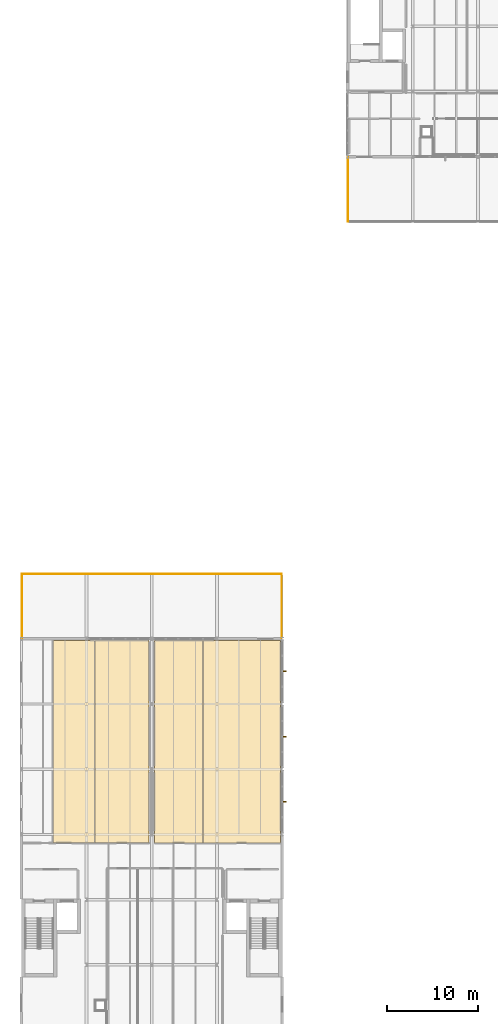
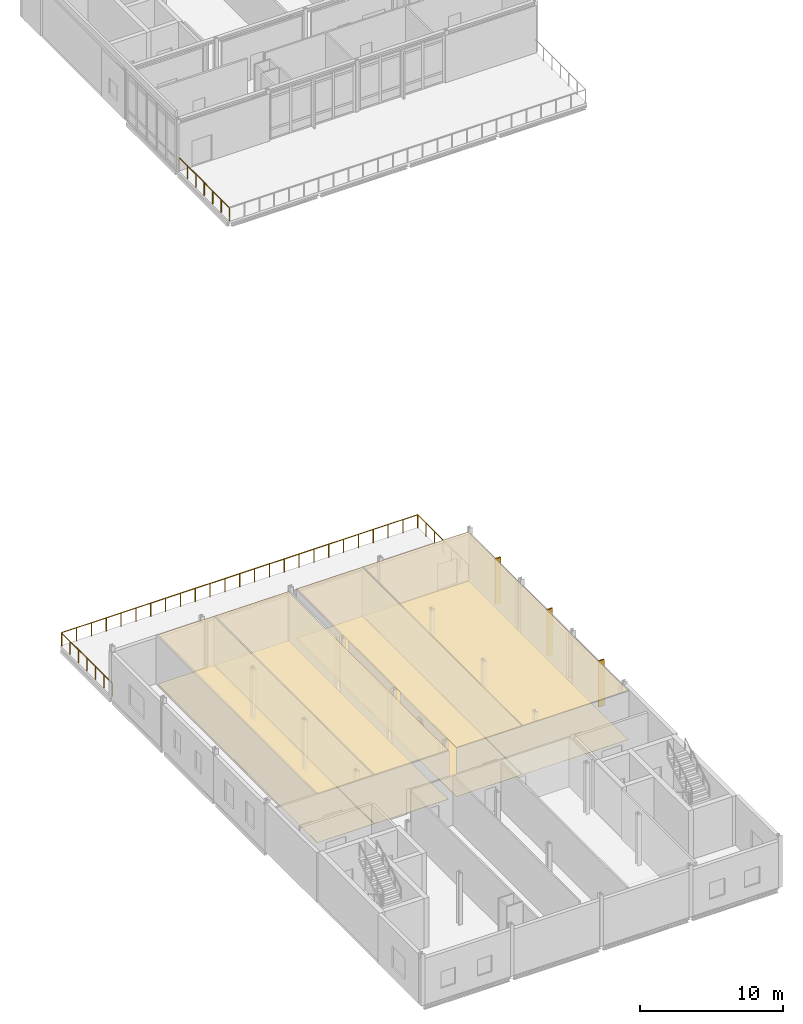
# One storey, part 20 of 21: 8 coverings, 4 railings, 3 shading devices.
"""IFC4 building model written with IfcOpenShell, lengths in metres."""

from ifc_helpers import new_model, si_unit, direction, frame, origin, origin_2d, place, context, subcontext, project, spatial, polyline, rectangle, circle, outline, extrude, material, layer, layer_set, type_object, element, save


model = new_model("IFC4")

# Units and contexts
model_context = context("Model", 3, precision=1e-05, world=origin(), true_north=direction((0.0, 1.0)))
body_context = subcontext(model_context, "Body", "Model", "MODEL_VIEW")
ifc_project = project(units=[si_unit("LENGTHUNIT", "METRE"), si_unit("AREAUNIT", "SQUARE_METRE"), si_unit("VOLUMEUNIT", "CUBIC_METRE"), si_unit("PLANEANGLEUNIT", "RADIAN"), si_unit("MASSUNIT", "GRAM", prefix="KILO")], contexts=[model_context])

# Site, building, storey
site_placement = place(None, origin())
site = spatial("IfcSite", under=ifc_project, at=site_placement, CompositionType="ELEMENT")
building_placement = place(site_placement, origin())
building = spatial("IfcBuilding", under=site, at=building_placement, Name="Zarrinpeak Specialist Clinic", CompositionType="ELEMENT")
storey_placement = place(building_placement, frame((0.0, 0.0, 22.800048828125)))
storey = spatial("IfcBuildingStorey", under=building, at=storey_placement, Name="L05", CompositionType="ELEMENT", Elevation=22.800048828125)

# Coverings
ifc_material_1 = material(Name="Hygienic Acoustic Mineral Fibre Tile")
ifc_layer_1 = layer(ifc_material_1, 0.02490234375)
ifc_layer_set_1 = layer_set([ifc_layer_1], Name="Hygienic Acoustic Mineral Fibre Tile")
covering_type_1 = type_object("IfcCoveringType", Name="CV-CEIL-AC", PredefinedType="CEILING", material=ifc_layer_set_1)
covering_1_placement = place(storey_placement, frame((0.0, 0.0, 4.159912109375)))
element("IfcCovering", 1, at=covering_1_placement, inside=storey, type_object=covering_type_1, Name="L05 Minor Dermatosurgery Suite Hygienic Acoustic Ceiling", PredefinedType="CEILING", context=body_context, shape_type="SweptSolid", body=[
    extrude(outline(polyline([(3.52001953125, 20.669921875), (8.080078125, 20.669921875), (8.080078125, 42.97998046875), (3.52001953125, 42.97998046875), (3.52001953125, 20.669921875)])), origin(), (0.0, 0.0, 1.0), 0.025146484375),
])
covering_2_placement = place(storey_placement, frame((0.0, 0.0, 4.159912109375)))
element("IfcCovering", 2, at=covering_2_placement, inside=storey, type_object=covering_type_1, Name="L05 Allergy Immunology Patch Lab Hygienic Acoustic Ceiling", PredefinedType="CEILING", context=body_context, shape_type="SweptSolid", body=[
    extrude(outline(polyline([(14.719970703125, 20.669921875), (20.030029296875, 20.669921875), (20.030029296875, 42.97998046875), (14.719970703125, 42.97998046875), (14.719970703125, 20.669921875)])), origin(), (0.0, 0.0, 1.0), 0.025146484375),
])
covering_3_placement = place(storey_placement, frame((0.0, 0.0, 4.159912109375)))
element("IfcCovering", 3, at=covering_3_placement, inside=storey, type_object=covering_type_1, Name="L05 Specialist Consultation Room 1 Hygienic Acoustic Ceiling", PredefinedType="CEILING", context=body_context, shape_type="SweptSolid", body=[
    extrude(outline(polyline([(8.1201171875, 20.669921875), (14.080078125, 20.669921875), (14.080078125, 42.97998046875), (8.1201171875, 42.97998046875), (8.1201171875, 20.669921875)])), origin(), (0.0, 0.0, 1.0), 0.025146484375),
])
covering_4_placement = place(storey_placement, frame((0.0, 0.0, 4.159912109375)))
element("IfcCovering", 4, at=covering_4_placement, inside=storey, type_object=covering_type_1, Name="L05 Specialist Consultation Room 2 Hygienic Acoustic Ceiling", PredefinedType="CEILING", context=body_context, shape_type="SweptSolid", body=[
    extrude(outline(polyline([(20.070068359375, 20.669921875), (28.580078125, 20.669921875), (28.580078125, 42.97998046875), (20.070068359375, 42.97998046875), (20.070068359375, 20.669921875)])), origin(), (0.0, 0.0, 1.0), 0.025146484375),
])
ifc_material_2 = material(Name="Homogeneous Antimicrobial Clinical Vinyl")
ifc_layer_2 = layer(ifc_material_2, 0.008056640625)
ifc_layer_set_2 = layer_set([ifc_layer_2], Name="Homogeneous Antimicrobial Clinical Vinyl")
covering_type_2 = type_object("IfcCoveringType", Name="CV-FLR-VN", PredefinedType="FLOORING", material=ifc_layer_set_2)
covering_5_placement = place(storey_placement, frame((0.0, 0.0, 0.0009765625)))
element("IfcCovering", 5, at=covering_5_placement, inside=storey, type_object=covering_type_2, Name="L05 Minor Dermatosurgery Suite Antimicrobial Vinyl Flooring", PredefinedType="FLOORING", context=body_context, shape_type="SweptSolid", body=[
    extrude(outline(polyline([(3.52001953125, 20.669921875), (8.080078125, 20.669921875), (8.080078125, 42.97998046875), (3.52001953125, 42.97998046875), (3.52001953125, 20.669921875)])), origin(), (0.0, 0.0, 1.0), 0.008056640625),
])
covering_6_placement = place(storey_placement, frame((0.0, 0.0, 0.0009765625)))
element("IfcCovering", 6, at=covering_6_placement, inside=storey, type_object=covering_type_2, Name="L05 Allergy Immunology Patch Lab Antimicrobial Vinyl Flooring", PredefinedType="FLOORING", context=body_context, shape_type="SweptSolid", body=[
    extrude(outline(polyline([(14.719970703125, 20.669921875), (20.030029296875, 20.669921875), (20.030029296875, 42.97998046875), (14.719970703125, 42.97998046875), (14.719970703125, 20.669921875)])), origin(), (0.0, 0.0, 1.0), 0.008056640625),
])
covering_7_placement = place(storey_placement, frame((0.0, 0.0, 0.0009765625)))
element("IfcCovering", 7, at=covering_7_placement, inside=storey, type_object=covering_type_2, Name="L05 Specialist Consultation Room 1 Antimicrobial Vinyl Flooring", PredefinedType="FLOORING", context=body_context, shape_type="SweptSolid", body=[
    extrude(outline(polyline([(8.1201171875, 20.669921875), (14.080078125, 20.669921875), (14.080078125, 42.97998046875), (8.1201171875, 42.97998046875), (8.1201171875, 20.669921875)])), origin(), (0.0, 0.0, 1.0), 0.008056640625),
])
covering_8_placement = place(storey_placement, frame((0.0, 0.0, 0.0009765625)))
element("IfcCovering", 8, at=covering_8_placement, inside=storey, type_object=covering_type_2, Name="L05 Specialist Consultation Room 2 Antimicrobial Vinyl Flooring", PredefinedType="FLOORING", context=body_context, shape_type="SweptSolid", body=[
    extrude(outline(polyline([(20.070068359375, 20.669921875), (28.580078125, 20.669921875), (28.580078125, 42.97998046875), (20.070068359375, 42.97998046875), (20.070068359375, 20.669921875)])), origin(), (0.0, 0.0, 1.0), 0.008056640625),
])

# Railings
ifc_material_3 = material(Name="Powder-Coated Steel Post-and-Rail Balustrade", Category="steel")
ifc_layer_3 = layer(ifc_material_3, 0.06005859375)
ifc_layer_set_3 = layer_set([ifc_layer_3], Name="Powder-Coated Steel Post-and-Rail Balustrade")
railing_type_1 = type_object("IfcRailingType", Name="RL-BAL110", PredefinedType="BALUSTRADE", material=ifc_layer_set_3)
for number, where, name in (
    (9, (0.06005859375, 43.260009765625, 0.0), "L05 V1 Terrace Perimeter Guardrail GR-002"),
    (10, (36.06005859375, 89.260009765625, 0.0), "L05 V6 Terrace Perimeter Guardrail GR-020"),
):
    element("IfcRailing", number, at=place(storey_placement, frame(where)), inside=storey, type_object=railing_type_1, Name=name, PredefinedType="BALUSTRADE", context=body_context, shape_type="SweptSolid", body=[
        extrude(circle(Radius=0.02392578125, at=origin_2d()), frame((0.0, 0.0, 1.09619140625), z_axis=(0.0, 1.0, 0.0), x_axis=(-1.0, 0.0, 0.0)), (0.0, 0.0, 1.0), 7.080078125),
        extrude(circle(Radius=0.02099609375, at=origin_2d()), origin(), (0.0, 0.0, 1.0), 1.072021484375),
        extrude(circle(Radius=0.02099609375, at=origin_2d()), frame((0.0, 1.179931640625, 0.0)), (0.0, 0.0, 1.0), 1.072021484375),
        extrude(circle(Radius=0.02099609375, at=origin_2d()), frame((0.0, 2.360107421875, 0.0)), (0.0, 0.0, 1.0), 1.072021484375),
        extrude(circle(Radius=0.02099609375, at=origin_2d()), frame((0.0, 3.5400390625, 0.0)), (0.0, 0.0, 1.0), 1.072021484375),
        extrude(circle(Radius=0.02099609375, at=origin_2d()), frame((0.0, 4.719970703125, 0.0)), (0.0, 0.0, 1.0), 1.072021484375),
        extrude(circle(Radius=0.02099609375, at=origin_2d()), frame((0.0, 5.900146484375, 0.0)), (0.0, 0.0, 1.0), 1.072021484375),
        extrude(circle(Radius=0.02099609375, at=origin_2d()), frame((0.0, 7.080078125, 0.0)), (0.0, 0.0, 1.0), 1.072021484375),
    ])
ifc_material_4 = material(Name="Laminated Safety Glass and Stainless Steel 316", Category="steel")
ifc_layer_4 = layer(ifc_material_4, 0.06005859375)
ifc_layer_set_4 = layer_set([ifc_layer_4], Name="Laminated Safety Glass and Stainless Steel 316")
railing_type_2 = type_object("IfcRailingType", Name="RL-GRD115", PredefinedType="GUARDRAIL", material=ifc_layer_set_4)
railing_1_placement = place(storey_placement, frame((0.06005859375, 50.340087890625, 0.0)))
element("IfcRailing", 11, at=railing_1_placement, inside=storey, type_object=railing_type_2, Name="L05 V1 Terrace Perimeter Guardrail GR-001", PredefinedType="GUARDRAIL", context=body_context, shape_type="SweptSolid", body=[
    extrude(circle(Radius=0.02392578125, at=origin_2d()), frame((0.0, 0.0, 1.1259765625), z_axis=(1.0, 0.0, 0.0), x_axis=(0.0, 1.0, 0.0)), (0.0, 0.0, 1.0), 28.679931640625),
    extrude(circle(Radius=0.02099609375, at=origin_2d()), origin(), (0.0, 0.0, 1.0), 1.101806640625),
    extrude(circle(Radius=0.02099609375, at=origin_2d()), frame((1.195068359375, 0.0, 0.0)), (0.0, 0.0, 1.0), 1.101806640625),
    extrude(circle(Radius=0.02099609375, at=origin_2d()), frame((2.389892578125, 0.0, 0.0)), (0.0, 0.0, 1.0), 1.101806640625),
    extrude(circle(Radius=0.02099609375, at=origin_2d()), frame((3.5849609375, 0.0, 0.0)), (0.0, 0.0, 1.0), 1.101806640625),
    extrude(circle(Radius=0.02099609375, at=origin_2d()), frame((4.780029296875, 0.0, 0.0)), (0.0, 0.0, 1.0), 1.101806640625),
    extrude(circle(Radius=0.02099609375, at=origin_2d()), frame((5.97509765625, 0.0, 0.0)), (0.0, 0.0, 1.0), 1.101806640625),
    extrude(circle(Radius=0.02099609375, at=origin_2d()), frame((7.169921875, 0.0, 0.0)), (0.0, 0.0, 1.0), 1.101806640625),
    extrude(circle(Radius=0.02099609375, at=origin_2d()), frame((8.364990234375, 0.0, 0.0)), (0.0, 0.0, 1.0), 1.101806640625),
    extrude(circle(Radius=0.02099609375, at=origin_2d()), frame((9.56005859375, 0.0, 0.0)), (0.0, 0.0, 1.0), 1.101806640625),
    extrude(circle(Radius=0.02099609375, at=origin_2d()), frame((10.7548828125, 0.0, 0.0)), (0.0, 0.0, 1.0), 1.101806640625),
    extrude(circle(Radius=0.02099609375, at=origin_2d()), frame((11.949951171875, 0.0, 0.0)), (0.0, 0.0, 1.0), 1.101806640625),
    extrude(circle(Radius=0.02099609375, at=origin_2d()), frame((13.14501953125, 0.0, 0.0)), (0.0, 0.0, 1.0), 1.101806640625),
    extrude(circle(Radius=0.02099609375, at=origin_2d()), frame((14.33984375, 0.0, 0.0)), (0.0, 0.0, 1.0), 1.101806640625),
    extrude(circle(Radius=0.02099609375, at=origin_2d()), frame((15.534912109375, 0.0, 0.0)), (0.0, 0.0, 1.0), 1.101806640625),
    extrude(circle(Radius=0.02099609375, at=origin_2d()), frame((16.72998046875, 0.0, 0.0)), (0.0, 0.0, 1.0), 1.101806640625),
    extrude(circle(Radius=0.02099609375, at=origin_2d()), frame((17.925048828125, 0.0, 0.0)), (0.0, 0.0, 1.0), 1.101806640625),
    extrude(circle(Radius=0.02099609375, at=origin_2d()), frame((19.119873046875, 0.0, 0.0)), (0.0, 0.0, 1.0), 1.101806640625),
    extrude(circle(Radius=0.02099609375, at=origin_2d()), frame((20.31494140625, 0.0, 0.0)), (0.0, 0.0, 1.0), 1.101806640625),
    extrude(circle(Radius=0.02099609375, at=origin_2d()), frame((21.510009765625, 0.0, 0.0)), (0.0, 0.0, 1.0), 1.101806640625),
    extrude(circle(Radius=0.02099609375, at=origin_2d()), frame((22.704833984375, 0.0, 0.0)), (0.0, 0.0, 1.0), 1.101806640625),
    extrude(circle(Radius=0.02099609375, at=origin_2d()), frame((23.89990234375, 0.0, 0.0)), (0.0, 0.0, 1.0), 1.101806640625),
    extrude(circle(Radius=0.02099609375, at=origin_2d()), frame((25.094970703125, 0.0, 0.0)), (0.0, 0.0, 1.0), 1.101806640625),
    extrude(circle(Radius=0.02099609375, at=origin_2d()), frame((26.2900390625, 0.0, 0.0)), (0.0, 0.0, 1.0), 1.101806640625),
    extrude(circle(Radius=0.02099609375, at=origin_2d()), frame((27.48486328125, 0.0, 0.0)), (0.0, 0.0, 1.0), 1.101806640625),
    extrude(circle(Radius=0.02099609375, at=origin_2d()), frame((28.679931640625, 0.0, 0.0)), (0.0, 0.0, 1.0), 1.101806640625),
])
railing_2_placement = place(storey_placement, frame((28.739990234375, 43.260009765625, 0.0)))
element("IfcRailing", 12, at=railing_2_placement, inside=storey, type_object=railing_type_2, Name="L05 V1 Terrace Perimeter Guardrail GR-003", PredefinedType="GUARDRAIL", context=body_context, shape_type="SweptSolid", body=[
    extrude(circle(Radius=0.02392578125, at=origin_2d()), frame((0.0, 0.0, 1.1259765625), z_axis=(0.0, 1.0, 0.0), x_axis=(-1.0, 0.0, 0.0)), (0.0, 0.0, 1.0), 7.080078125),
    extrude(circle(Radius=0.02099609375, at=origin_2d()), origin(), (0.0, 0.0, 1.0), 1.101806640625),
    extrude(circle(Radius=0.02099609375, at=origin_2d()), frame((0.0, 1.179931640625, 0.0)), (0.0, 0.0, 1.0), 1.101806640625),
    extrude(circle(Radius=0.02099609375, at=origin_2d()), frame((0.0, 2.360107421875, 0.0)), (0.0, 0.0, 1.0), 1.101806640625),
    extrude(circle(Radius=0.02099609375, at=origin_2d()), frame((0.0, 3.5400390625, 0.0)), (0.0, 0.0, 1.0), 1.101806640625),
    extrude(circle(Radius=0.02099609375, at=origin_2d()), frame((0.0, 4.719970703125, 0.0)), (0.0, 0.0, 1.0), 1.101806640625),
    extrude(circle(Radius=0.02099609375, at=origin_2d()), frame((0.0, 5.900146484375, 0.0)), (0.0, 0.0, 1.0), 1.101806640625),
    extrude(circle(Radius=0.02099609375, at=origin_2d()), frame((0.0, 7.080078125, 0.0)), (0.0, 0.0, 1.0), 1.101806640625),
])

# Shading devices
ifc_material_5 = material(Name="Glulam GL28h", Category="wood")
shading_device_type = type_object("IfcShadingDeviceType", Name="SHD-FIN-GL", PredefinedType="USERDEFINED", material=ifc_material_5)
for number, where, z_axis, x_axis, name in (
    (13, (29.0, 25.199951171875, -0.01513671875), (0.0, 0.0, 1.0), (1.0, 0.0, 0.0), "L05 V1 Cedar-Glulam Courtyard Fin FIN-021"),
    (14, (29.0, 32.39990234375, -0.01513671875), (0.0, 0.0, 1.0), (1.0, 0.0, 0.0), "L05 V1 Cedar-Glulam Courtyard Fin FIN-022"),
):
    element("IfcShadingDevice", number, at=place(storey_placement, frame(where, z_axis=z_axis, x_axis=x_axis)), inside=storey, type_object=shading_device_type, Name=name, ObjectType="SUNSHADE", PredefinedType="USERDEFINED", context=body_context, shape_type="SweptSolid", body=[
        extrude(rectangle(XDim=0.449951171875, YDim=0.110107421875, at=origin_2d()), origin(), (0.0, 0.0, 1.0), 3.929931640625),
    ])
shading_device_placement = place(storey_placement, frame((29.0, 39.610107421875, -0.01513671875), z_axis=(0.0, 0.0, 1.0), x_axis=(1.0, 0.0, 0.0)))
element("IfcShadingDevice", 15, at=shading_device_placement, inside=storey, type_object=shading_device_type, Name="L05 V1 Cedar-Glulam Courtyard Fin FIN-023", ObjectType="SUNSHADE", PredefinedType="USERDEFINED", context=body_context, shape_type="SweptSolid", body=[
    extrude(rectangle(XDim=0.449951171875, YDim=0.110107421875, at=origin_2d()), origin(), (0.0, 0.0, 1.0), 3.89501953125),
])

save(model, "model.ifc")
